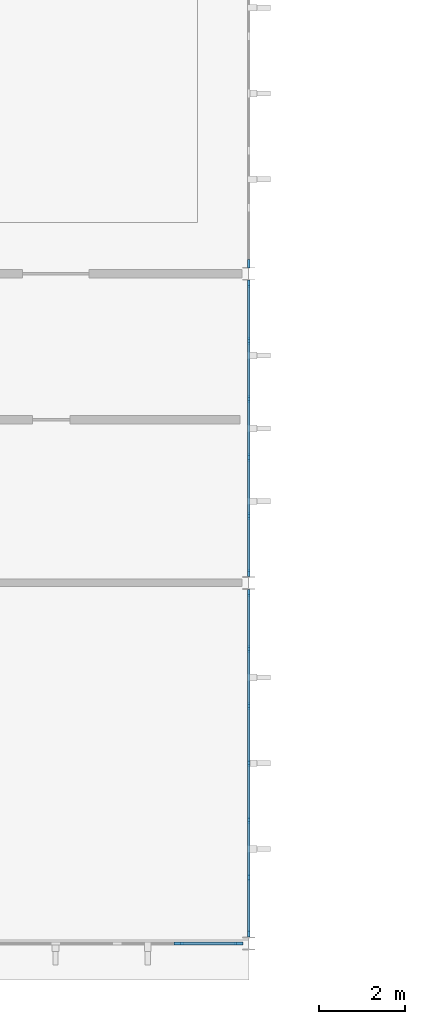
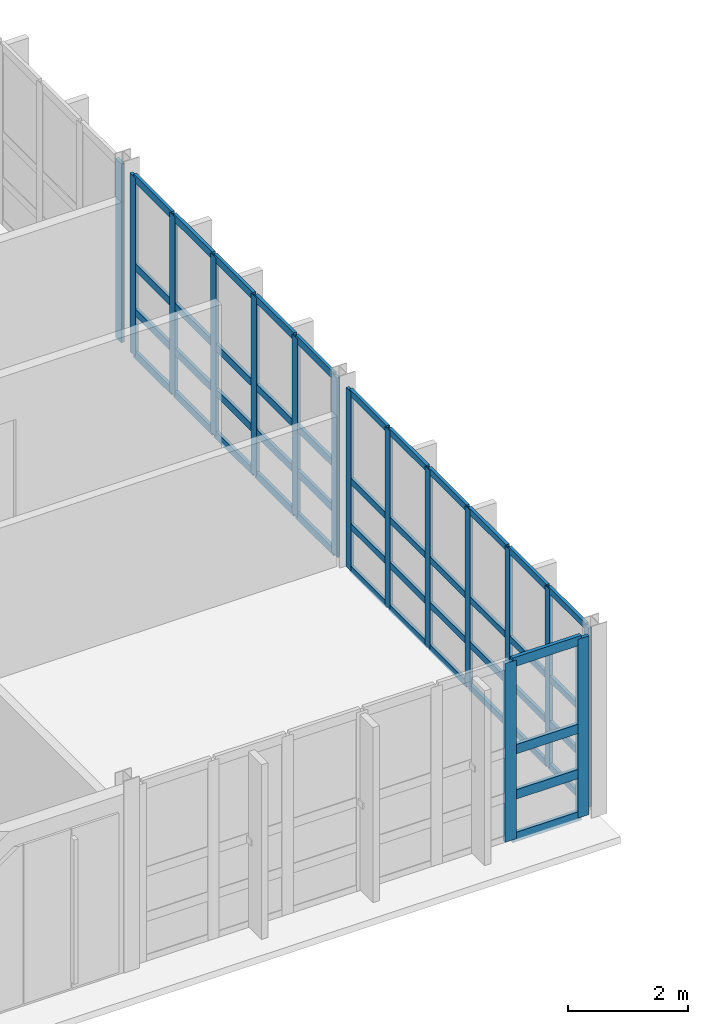
# One storey, part 15 of 67: 64 members, 4 elements without a shape of their own.
"""IFC4 building model written with IfcOpenShell, lengths in metres."""

from ifc_helpers import new_model, si_unit, direction, frame, origin, origin_2d, place, context, subcontext, project, spatial, rectangle, extrude, material, material_profile, profile_set, type_object, element, aggregate, save


model = new_model("IFC4")

# Units and contexts
model_context = context("Model", 3, precision=1e-05, world=origin(), true_north=direction((0.0, 1.0)))
body_context = subcontext(model_context, "Body", "Model", "MODEL_VIEW")
ifc_project = project(units=[si_unit("LENGTHUNIT", "METRE"), si_unit("AREAUNIT", "SQUARE_METRE"), si_unit("VOLUMEUNIT", "CUBIC_METRE"), si_unit("PLANEANGLEUNIT", "RADIAN"), si_unit("MASSUNIT", "GRAM", prefix="KILO")], contexts=[model_context])

# Site, building, storey
site_placement = place(None, origin())
site = spatial("IfcSite", under=ifc_project, at=site_placement, CompositionType="ELEMENT")
building_placement = place(site_placement, origin())
building = spatial("IfcBuilding", under=site, at=building_placement, Name="Tizgana Railside Sports Hall", CompositionType="ELEMENT")
storey_placement = place(building_placement, frame((0.0, 0.0, 12.0)))
storey = spatial("IfcBuildingStorey", under=building, at=storey_placement, Name="L02", CompositionType="ELEMENT", Elevation=12.0)

# Curtain wall, members
ifc_material_1 = material(Name="Anodised aluminium and glass", Category="aluminium")
curtain_wall_type_1 = type_object("IfcCurtainWallType", Name="Unitised Curtain Wall Climbing 1600", PredefinedType="NOTDEFINED", material=ifc_material_1)
curtain_wall_1_placement = place(storey_placement, origin())
curtain_wall_1 = element("IfcCurtainWall", 1, at=curtain_wall_1_placement, inside=storey, type_object=curtain_wall_type_1, Name="L02 Curtain Wall CW-0115", PredefinedType="NOTDEFINED")
ifc_material_2 = material(Name="Anodised aluminium", Category="aluminium")
ifc_material_profile_1 = material_profile(ifc_material_2, rectangle(XDim=0.06005859375, YDim=0.159912109375, at=origin_2d()), Name="Mullion 60x160")
ifc_profile_set_1 = profile_set([ifc_material_profile_1], Name="Anodised aluminium")
member_type_1 = type_object("IfcMemberType", Name="Mullion 60x160", PredefinedType="MULLION", material=ifc_profile_set_1)
member_1_placement = place(storey_placement, frame((97.800048828125, 8.1650390625, 0.0), z_axis=(0.0, 0.0, 1.0), x_axis=(1.0, 0.0, 0.0)))
member_1 = element("IfcMember", 2, at=member_1_placement, type_object=member_type_1, Name="CW-04 mullion 1", PredefinedType="MULLION", context=body_context, shape_type="SweptSolid", body=[
    extrude(rectangle(XDim=0.06005859375, YDim=0.159912109375, at=origin_2d()), origin(), (0.0, 0.0, 1.0), 3.639892578125),
])
member_2_placement = place(storey_placement, frame((97.800048828125, 6.86328125, 0.0), z_axis=(0.0, 0.0, 1.0), x_axis=(1.0, 0.0, 0.0)))
member_2 = element("IfcMember", 3, at=member_2_placement, type_object=member_type_1, Name="CW-04 mullion 2", PredefinedType="MULLION", context=body_context, shape_type="SweptSolid", body=[
    extrude(rectangle(XDim=0.06005859375, YDim=0.159912109375, at=origin_2d()), origin(), (0.0, 0.0, 1.0), 3.639892578125),
])
member_3_placement = place(storey_placement, frame((97.800048828125, 5.53173828125, 0.0), z_axis=(0.0, 0.0, 1.0), x_axis=(1.0, 0.0, 0.0)))
member_3 = element("IfcMember", 4, at=member_3_placement, type_object=member_type_1, Name="CW-04 mullion 3", PredefinedType="MULLION", context=body_context, shape_type="SweptSolid", body=[
    extrude(rectangle(XDim=0.06005859375, YDim=0.159912109375, at=origin_2d()), origin(), (0.0, 0.0, 1.0), 3.639892578125),
])
member_4_placement = place(storey_placement, frame((97.800048828125, 4.199951171875, 0.0), z_axis=(0.0, 0.0, 1.0), x_axis=(1.0, 0.0, 0.0)))
member_4 = element("IfcMember", 5, at=member_4_placement, type_object=member_type_1, Name="CW-04 mullion 4", PredefinedType="MULLION", context=body_context, shape_type="SweptSolid", body=[
    extrude(rectangle(XDim=0.06005859375, YDim=0.159912109375, at=origin_2d()), origin(), (0.0, 0.0, 1.0), 3.639892578125),
])
member_5_placement = place(storey_placement, frame((97.800048828125, 2.868408203125, 0.0), z_axis=(0.0, 0.0, 1.0), x_axis=(1.0, 0.0, 0.0)))
member_5 = element("IfcMember", 6, at=member_5_placement, type_object=member_type_1, Name="CW-04 mullion 5", PredefinedType="MULLION", context=body_context, shape_type="SweptSolid", body=[
    extrude(rectangle(XDim=0.06005859375, YDim=0.159912109375, at=origin_2d()), origin(), (0.0, 0.0, 1.0), 3.639892578125),
])
member_6_placement = place(storey_placement, frame((97.800048828125, 1.53662109375, 0.0), z_axis=(0.0, 0.0, 1.0), x_axis=(1.0, 0.0, 0.0)))
member_6 = element("IfcMember", 7, at=member_6_placement, type_object=member_type_1, Name="CW-04 mullion 6", PredefinedType="MULLION", context=body_context, shape_type="SweptSolid", body=[
    extrude(rectangle(XDim=0.06005859375, YDim=0.159912109375, at=origin_2d()), origin(), (0.0, 0.0, 1.0), 3.639892578125),
])
member_7_placement = place(storey_placement, frame((97.800048828125, 0.235107421875, 0.0), z_axis=(0.0, 0.0, 1.0), x_axis=(1.0, 0.0, 0.0)))
member_7 = element("IfcMember", 8, at=member_7_placement, type_object=member_type_1, Name="CW-04 mullion 7", PredefinedType="MULLION", context=body_context, shape_type="SweptSolid", body=[
    extrude(rectangle(XDim=0.06005859375, YDim=0.159912109375, at=origin_2d()), origin(), (0.0, 0.0, 1.0), 3.639892578125),
])

curtain_wall_type_2 = type_object("IfcCurtainWallType", Name="Unitised Curtain Wall Clinic 1200", PredefinedType="NOTDEFINED", material=ifc_material_1)
curtain_wall_2_placement = place(storey_placement, origin())
curtain_wall_2 = element("IfcCurtainWall", 9, at=curtain_wall_2_placement, inside=storey, type_object=curtain_wall_type_2, Name="L02 Curtain Wall CW-0116", PredefinedType="NOTDEFINED")
ifc_material_profile_2 = material_profile(ifc_material_2, rectangle(XDim=0.06005859375, YDim=0.179931640625, at=origin_2d()), Name="Mullion 60x180")
ifc_profile_set_2 = profile_set([ifc_material_profile_2], Name="Anodised aluminium")
member_type_2 = type_object("IfcMemberType", Name="Mullion 60x180", PredefinedType="MULLION", material=ifc_profile_set_2)
member_8_placement = place(storey_placement, frame((97.800048828125, 15.364990234375, 0.0), z_axis=(0.0, 0.0, 1.0), x_axis=(1.0, 0.0, 0.0)))
member_8 = element("IfcMember", 10, at=member_8_placement, type_object=member_type_2, Name="CW-05 mullion 1", PredefinedType="MULLION", context=body_context, shape_type="SweptSolid", body=[
    extrude(rectangle(XDim=0.06005859375, YDim=0.179931640625, at=origin_2d()), origin(), (0.0, 0.0, 1.0), 3.639892578125),
])
member_9_placement = place(storey_placement, frame((97.800048828125, 14.037109375, 0.0), z_axis=(0.0, 0.0, 1.0), x_axis=(1.0, 0.0, 0.0)))
member_9 = element("IfcMember", 11, at=member_9_placement, type_object=member_type_2, Name="CW-05 mullion 2", PredefinedType="MULLION", context=body_context, shape_type="SweptSolid", body=[
    extrude(rectangle(XDim=0.06005859375, YDim=0.179931640625, at=origin_2d()), origin(), (0.0, 0.0, 1.0), 3.639892578125),
])
member_10_placement = place(storey_placement, frame((97.800048828125, 12.678955078125, 0.0), z_axis=(0.0, 0.0, 1.0), x_axis=(1.0, 0.0, 0.0)))
member_10 = element("IfcMember", 12, at=member_10_placement, type_object=member_type_2, Name="CW-05 mullion 3", PredefinedType="MULLION", context=body_context, shape_type="SweptSolid", body=[
    extrude(rectangle(XDim=0.06005859375, YDim=0.179931640625, at=origin_2d()), origin(), (0.0, 0.0, 1.0), 3.639892578125),
])
member_11_placement = place(storey_placement, frame((97.800048828125, 11.321044921875, 0.0), z_axis=(0.0, 0.0, 1.0), x_axis=(1.0, 0.0, 0.0)))
member_11 = element("IfcMember", 13, at=member_11_placement, type_object=member_type_2, Name="CW-05 mullion 4", PredefinedType="MULLION", context=body_context, shape_type="SweptSolid", body=[
    extrude(rectangle(XDim=0.06005859375, YDim=0.179931640625, at=origin_2d()), origin(), (0.0, 0.0, 1.0), 3.639892578125),
])
member_12_placement = place(storey_placement, frame((97.800048828125, 9.962890625, 0.0), z_axis=(0.0, 0.0, 1.0), x_axis=(1.0, 0.0, 0.0)))
member_12 = element("IfcMember", 14, at=member_12_placement, type_object=member_type_2, Name="CW-05 mullion 5", PredefinedType="MULLION", context=body_context, shape_type="SweptSolid", body=[
    extrude(rectangle(XDim=0.06005859375, YDim=0.179931640625, at=origin_2d()), origin(), (0.0, 0.0, 1.0), 3.639892578125),
])
member_13_placement = place(storey_placement, frame((97.800048828125, 8.635009765625, 0.0), z_axis=(0.0, 0.0, 1.0), x_axis=(1.0, 0.0, 0.0)))
member_13 = element("IfcMember", 15, at=member_13_placement, type_object=member_type_2, Name="CW-05 mullion 6", PredefinedType="MULLION", context=body_context, shape_type="SweptSolid", body=[
    extrude(rectangle(XDim=0.06005859375, YDim=0.179931640625, at=origin_2d()), origin(), (0.0, 0.0, 1.0), 3.639892578125),
])

# Curtain wall, member
curtain_wall_type_3 = type_object("IfcCurtainWallType", Name="Unitised Curtain Wall Passage 1800", PredefinedType="NOTDEFINED", material=ifc_material_1)
curtain_wall_3_placement = place(storey_placement, origin())
curtain_wall_3 = element("IfcCurtainWall", 16, at=curtain_wall_3_placement, inside=storey, type_object=curtain_wall_type_3, Name="L02 Curtain Wall CW-0117", PredefinedType="NOTDEFINED")
ifc_material_profile_3 = material_profile(ifc_material_2, rectangle(XDim=0.06494140625, YDim=0.199951171875, at=origin_2d()), Name="Mullion 65x200")
ifc_profile_set_3 = profile_set([ifc_material_profile_3], Name="Anodised aluminium")
member_type_3 = type_object("IfcMemberType", Name="Mullion 65x200", PredefinedType="MULLION", material=ifc_profile_set_3)
member_14_placement = place(storey_placement, frame((97.800048828125, 15.83740234375, 0.0), z_axis=(0.0, 0.0, 1.0), x_axis=(1.0, 0.0, 0.0)))
member_14 = element("IfcMember", 17, at=member_14_placement, type_object=member_type_3, Name="CW-06 mullion 7", PredefinedType="MULLION", context=body_context, shape_type="SweptSolid", body=[
    extrude(rectangle(XDim=0.06494140625, YDim=0.199951171875, at=origin_2d()), origin(), (0.0, 0.0, 1.0), 3.639892578125),
])
aggregate(curtain_wall_3, [member_14])

# Curtain wall, members
curtain_wall_type_4 = type_object("IfcCurtainWallType", Name="Unitised Curtain Wall Studio 1400", PredefinedType="NOTDEFINED", material=ifc_material_1)
curtain_wall_4_placement = place(storey_placement, origin())
curtain_wall_4 = element("IfcCurtainWall", 18, at=curtain_wall_4_placement, inside=storey, type_object=curtain_wall_type_4, Name="L02 Curtain Wall CW-0106", PredefinedType="NOTDEFINED")
ifc_material_profile_4 = material_profile(ifc_material_2, rectangle(XDim=0.070068359375, YDim=0.219970703125, at=origin_2d()), Name="Mullion 70x220")
ifc_profile_set_4 = profile_set([ifc_material_profile_4], Name="Anodised aluminium")
member_type_4 = type_object("IfcMemberType", Name="Mullion 70x220", PredefinedType="MULLION", material=ifc_profile_set_4)
member_15_placement = place(storey_placement, frame((97.56005859375, 0.0, 0.0), z_axis=(0.0, 0.0, 1.0), x_axis=(0.0, -1.0, 0.0)))
member_15 = element("IfcMember", 19, at=member_15_placement, type_object=member_type_4, Name="CW-03 mullion 1", PredefinedType="MULLION", context=body_context, shape_type="SweptSolid", body=[
    extrude(rectangle(XDim=0.070068359375, YDim=0.219970703125, at=origin_2d()), origin(), (0.0, 0.0, 1.0), 3.639892578125),
])
member_16_placement = place(storey_placement, frame((96.163330078125, 0.0, 0.0), z_axis=(0.0, 0.0, 1.0), x_axis=(0.0, -1.0, 0.0)))
member_16 = element("IfcMember", 20, at=member_16_placement, type_object=member_type_4, Name="CW-03 mullion 2", PredefinedType="MULLION", context=body_context, shape_type="SweptSolid", body=[
    extrude(rectangle(XDim=0.070068359375, YDim=0.219970703125, at=origin_2d()), origin(), (0.0, 0.0, 1.0), 3.639892578125),
])

# Member
ifc_material_profile_5 = material_profile(ifc_material_2, rectangle(XDim=0.06005859375, YDim=0.1298828125, at=origin_2d()), Name="Transom 60x130")
ifc_profile_set_5 = profile_set([ifc_material_profile_5], Name="Anodised aluminium")
member_type_5 = type_object("IfcMemberType", Name="Transom 60x130", PredefinedType="USERDEFINED", material=ifc_profile_set_5)
member_17_placement = place(storey_placement, frame((97.800048828125, 8.135009765625, 0.030029296875), z_axis=(0.0, -1.0, 0.0), x_axis=(1.0, 0.0, 0.0)))
member_17 = element("IfcMember", 21, at=member_17_placement, type_object=member_type_5, Name="CW-04 transom 1.1", ObjectType="TRANSOM", PredefinedType="USERDEFINED", context=body_context, shape_type="SweptSolid", body=[
    extrude(rectangle(XDim=0.06005859375, YDim=0.1298828125, at=origin_2d()), origin(), (0.0, 0.0, 1.0), 1.24169921875),
])

member_18_placement = place(storey_placement, frame((97.800048828125, 8.135009765625, 0.89990234375), z_axis=(0.0, -1.0, 0.0), x_axis=(1.0, 0.0, 0.0)))
member_18 = element("IfcMember", 22, at=member_18_placement, type_object=member_type_5, Name="CW-04 transom 1.2", ObjectType="TRANSOM", PredefinedType="USERDEFINED", context=body_context, shape_type="SweptSolid", body=[
    extrude(rectangle(XDim=0.06005859375, YDim=0.1298828125, at=origin_2d()), origin(), (0.0, 0.0, 1.0), 1.24169921875),
])

member_19_placement = place(storey_placement, frame((97.800048828125, 8.135009765625, 1.820068359375), z_axis=(0.0, -1.0, 0.0), x_axis=(1.0, 0.0, 0.0)))
member_19 = element("IfcMember", 23, at=member_19_placement, type_object=member_type_5, Name="CW-04 transom 1.3", ObjectType="TRANSOM", PredefinedType="USERDEFINED", context=body_context, shape_type="SweptSolid", body=[
    extrude(rectangle(XDim=0.06005859375, YDim=0.1298828125, at=origin_2d()), origin(), (0.0, 0.0, 1.0), 1.24169921875),
])

member_20_placement = place(storey_placement, frame((97.800048828125, 8.135009765625, 3.610107421875), z_axis=(0.0, -1.0, 0.0), x_axis=(1.0, 0.0, 0.0)))
member_20 = element("IfcMember", 24, at=member_20_placement, type_object=member_type_5, Name="CW-04 transom 1.4", ObjectType="TRANSOM", PredefinedType="USERDEFINED", context=body_context, shape_type="SweptSolid", body=[
    extrude(rectangle(XDim=0.06005859375, YDim=0.1298828125, at=origin_2d()), origin(), (0.0, 0.0, 1.0), 1.24169921875),
])

member_21_placement = place(storey_placement, frame((97.800048828125, 6.833251953125, 0.030029296875), z_axis=(0.0, -1.0, 0.0), x_axis=(1.0, 0.0, 0.0)))
member_21 = element("IfcMember", 25, at=member_21_placement, type_object=member_type_5, Name="CW-04 transom 2.1", ObjectType="TRANSOM", PredefinedType="USERDEFINED", context=body_context, shape_type="SweptSolid", body=[
    extrude(rectangle(XDim=0.06005859375, YDim=0.1298828125, at=origin_2d()), origin(), (0.0, 0.0, 1.0), 1.271484375),
])

member_22_placement = place(storey_placement, frame((97.800048828125, 6.833251953125, 0.89990234375), z_axis=(0.0, -1.0, 0.0), x_axis=(1.0, 0.0, 0.0)))
member_22 = element("IfcMember", 26, at=member_22_placement, type_object=member_type_5, Name="CW-04 transom 2.2", ObjectType="TRANSOM", PredefinedType="USERDEFINED", context=body_context, shape_type="SweptSolid", body=[
    extrude(rectangle(XDim=0.06005859375, YDim=0.1298828125, at=origin_2d()), origin(), (0.0, 0.0, 1.0), 1.271484375),
])

member_23_placement = place(storey_placement, frame((97.800048828125, 6.833251953125, 1.820068359375), z_axis=(0.0, -1.0, 0.0), x_axis=(1.0, 0.0, 0.0)))
member_23 = element("IfcMember", 27, at=member_23_placement, type_object=member_type_5, Name="CW-04 transom 2.3", ObjectType="TRANSOM", PredefinedType="USERDEFINED", context=body_context, shape_type="SweptSolid", body=[
    extrude(rectangle(XDim=0.06005859375, YDim=0.1298828125, at=origin_2d()), origin(), (0.0, 0.0, 1.0), 1.271484375),
])

member_24_placement = place(storey_placement, frame((97.800048828125, 6.833251953125, 3.610107421875), z_axis=(0.0, -1.0, 0.0), x_axis=(1.0, 0.0, 0.0)))
member_24 = element("IfcMember", 28, at=member_24_placement, type_object=member_type_5, Name="CW-04 transom 2.4", ObjectType="TRANSOM", PredefinedType="USERDEFINED", context=body_context, shape_type="SweptSolid", body=[
    extrude(rectangle(XDim=0.06005859375, YDim=0.1298828125, at=origin_2d()), origin(), (0.0, 0.0, 1.0), 1.271484375),
])

member_25_placement = place(storey_placement, frame((97.800048828125, 5.501708984375, 0.030029296875), z_axis=(0.0, -1.0, 0.0), x_axis=(1.0, 0.0, 0.0)))
member_25 = element("IfcMember", 29, at=member_25_placement, type_object=member_type_5, Name="CW-04 transom 3.1", ObjectType="TRANSOM", PredefinedType="USERDEFINED", context=body_context, shape_type="SweptSolid", body=[
    extrude(rectangle(XDim=0.06005859375, YDim=0.1298828125, at=origin_2d()), origin(), (0.0, 0.0, 1.0), 1.271728515625),
])

member_26_placement = place(storey_placement, frame((97.800048828125, 5.501708984375, 0.89990234375), z_axis=(0.0, -1.0, 0.0), x_axis=(1.0, 0.0, 0.0)))
member_26 = element("IfcMember", 30, at=member_26_placement, type_object=member_type_5, Name="CW-04 transom 3.2", ObjectType="TRANSOM", PredefinedType="USERDEFINED", context=body_context, shape_type="SweptSolid", body=[
    extrude(rectangle(XDim=0.06005859375, YDim=0.1298828125, at=origin_2d()), origin(), (0.0, 0.0, 1.0), 1.271728515625),
])

member_27_placement = place(storey_placement, frame((97.800048828125, 5.501708984375, 1.820068359375), z_axis=(0.0, -1.0, 0.0), x_axis=(1.0, 0.0, 0.0)))
member_27 = element("IfcMember", 31, at=member_27_placement, type_object=member_type_5, Name="CW-04 transom 3.3", ObjectType="TRANSOM", PredefinedType="USERDEFINED", context=body_context, shape_type="SweptSolid", body=[
    extrude(rectangle(XDim=0.06005859375, YDim=0.1298828125, at=origin_2d()), origin(), (0.0, 0.0, 1.0), 1.271728515625),
])

member_28_placement = place(storey_placement, frame((97.800048828125, 5.501708984375, 3.610107421875), z_axis=(0.0, -1.0, 0.0), x_axis=(1.0, 0.0, 0.0)))
member_28 = element("IfcMember", 32, at=member_28_placement, type_object=member_type_5, Name="CW-04 transom 3.4", ObjectType="TRANSOM", PredefinedType="USERDEFINED", context=body_context, shape_type="SweptSolid", body=[
    extrude(rectangle(XDim=0.06005859375, YDim=0.1298828125, at=origin_2d()), origin(), (0.0, 0.0, 1.0), 1.271728515625),
])

member_29_placement = place(storey_placement, frame((97.800048828125, 4.169921875, 0.030029296875), z_axis=(0.0, -1.0, 0.0), x_axis=(1.0, 0.0, 0.0)))
member_29 = element("IfcMember", 33, at=member_29_placement, type_object=member_type_5, Name="CW-04 transom 4.1", ObjectType="TRANSOM", PredefinedType="USERDEFINED", context=body_context, shape_type="SweptSolid", body=[
    extrude(rectangle(XDim=0.06005859375, YDim=0.1298828125, at=origin_2d()), origin(), (0.0, 0.0, 1.0), 1.271484375),
])

member_30_placement = place(storey_placement, frame((97.800048828125, 4.169921875, 0.89990234375), z_axis=(0.0, -1.0, 0.0), x_axis=(1.0, 0.0, 0.0)))
member_30 = element("IfcMember", 34, at=member_30_placement, type_object=member_type_5, Name="CW-04 transom 4.2", ObjectType="TRANSOM", PredefinedType="USERDEFINED", context=body_context, shape_type="SweptSolid", body=[
    extrude(rectangle(XDim=0.06005859375, YDim=0.1298828125, at=origin_2d()), origin(), (0.0, 0.0, 1.0), 1.271484375),
])

member_31_placement = place(storey_placement, frame((97.800048828125, 4.169921875, 1.820068359375), z_axis=(0.0, -1.0, 0.0), x_axis=(1.0, 0.0, 0.0)))
member_31 = element("IfcMember", 35, at=member_31_placement, type_object=member_type_5, Name="CW-04 transom 4.3", ObjectType="TRANSOM", PredefinedType="USERDEFINED", context=body_context, shape_type="SweptSolid", body=[
    extrude(rectangle(XDim=0.06005859375, YDim=0.1298828125, at=origin_2d()), origin(), (0.0, 0.0, 1.0), 1.271484375),
])

member_32_placement = place(storey_placement, frame((97.800048828125, 4.169921875, 3.610107421875), z_axis=(0.0, -1.0, 0.0), x_axis=(1.0, 0.0, 0.0)))
member_32 = element("IfcMember", 36, at=member_32_placement, type_object=member_type_5, Name="CW-04 transom 4.4", ObjectType="TRANSOM", PredefinedType="USERDEFINED", context=body_context, shape_type="SweptSolid", body=[
    extrude(rectangle(XDim=0.06005859375, YDim=0.1298828125, at=origin_2d()), origin(), (0.0, 0.0, 1.0), 1.271484375),
])

member_33_placement = place(storey_placement, frame((97.800048828125, 2.83837890625, 0.030029296875), z_axis=(0.0, -1.0, 0.0), x_axis=(1.0, 0.0, 0.0)))
member_33 = element("IfcMember", 37, at=member_33_placement, type_object=member_type_5, Name="CW-04 transom 5.1", ObjectType="TRANSOM", PredefinedType="USERDEFINED", context=body_context, shape_type="SweptSolid", body=[
    extrude(rectangle(XDim=0.06005859375, YDim=0.1298828125, at=origin_2d()), origin(), (0.0, 0.0, 1.0), 1.271728515625),
])

member_34_placement = place(storey_placement, frame((97.800048828125, 2.83837890625, 0.89990234375), z_axis=(0.0, -1.0, 0.0), x_axis=(1.0, 0.0, 0.0)))
member_34 = element("IfcMember", 38, at=member_34_placement, type_object=member_type_5, Name="CW-04 transom 5.2", ObjectType="TRANSOM", PredefinedType="USERDEFINED", context=body_context, shape_type="SweptSolid", body=[
    extrude(rectangle(XDim=0.06005859375, YDim=0.1298828125, at=origin_2d()), origin(), (0.0, 0.0, 1.0), 1.271728515625),
])

member_35_placement = place(storey_placement, frame((97.800048828125, 2.83837890625, 1.820068359375), z_axis=(0.0, -1.0, 0.0), x_axis=(1.0, 0.0, 0.0)))
member_35 = element("IfcMember", 39, at=member_35_placement, type_object=member_type_5, Name="CW-04 transom 5.3", ObjectType="TRANSOM", PredefinedType="USERDEFINED", context=body_context, shape_type="SweptSolid", body=[
    extrude(rectangle(XDim=0.06005859375, YDim=0.1298828125, at=origin_2d()), origin(), (0.0, 0.0, 1.0), 1.271728515625),
])

member_36_placement = place(storey_placement, frame((97.800048828125, 2.83837890625, 3.610107421875), z_axis=(0.0, -1.0, 0.0), x_axis=(1.0, 0.0, 0.0)))
member_36 = element("IfcMember", 40, at=member_36_placement, type_object=member_type_5, Name="CW-04 transom 5.4", ObjectType="TRANSOM", PredefinedType="USERDEFINED", context=body_context, shape_type="SweptSolid", body=[
    extrude(rectangle(XDim=0.06005859375, YDim=0.1298828125, at=origin_2d()), origin(), (0.0, 0.0, 1.0), 1.271728515625),
])

member_37_placement = place(storey_placement, frame((97.800048828125, 1.506591796875, 0.030029296875), z_axis=(0.0, -1.0, 0.0), x_axis=(1.0, 0.0, 0.0)))
member_37 = element("IfcMember", 41, at=member_37_placement, type_object=member_type_5, Name="CW-04 transom 6.1", ObjectType="TRANSOM", PredefinedType="USERDEFINED", context=body_context, shape_type="SweptSolid", body=[
    extrude(rectangle(XDim=0.06005859375, YDim=0.1298828125, at=origin_2d()), origin(), (0.0, 0.0, 1.0), 1.24169921875),
])

member_38_placement = place(storey_placement, frame((97.800048828125, 1.506591796875, 0.89990234375), z_axis=(0.0, -1.0, 0.0), x_axis=(1.0, 0.0, 0.0)))
member_38 = element("IfcMember", 42, at=member_38_placement, type_object=member_type_5, Name="CW-04 transom 6.2", ObjectType="TRANSOM", PredefinedType="USERDEFINED", context=body_context, shape_type="SweptSolid", body=[
    extrude(rectangle(XDim=0.06005859375, YDim=0.1298828125, at=origin_2d()), origin(), (0.0, 0.0, 1.0), 1.24169921875),
])

member_39_placement = place(storey_placement, frame((97.800048828125, 1.506591796875, 1.820068359375), z_axis=(0.0, -1.0, 0.0), x_axis=(1.0, 0.0, 0.0)))
member_39 = element("IfcMember", 43, at=member_39_placement, type_object=member_type_5, Name="CW-04 transom 6.3", ObjectType="TRANSOM", PredefinedType="USERDEFINED", context=body_context, shape_type="SweptSolid", body=[
    extrude(rectangle(XDim=0.06005859375, YDim=0.1298828125, at=origin_2d()), origin(), (0.0, 0.0, 1.0), 1.24169921875),
])

member_40_placement = place(storey_placement, frame((97.800048828125, 1.506591796875, 3.610107421875), z_axis=(0.0, -1.0, 0.0), x_axis=(1.0, 0.0, 0.0)))
member_40 = element("IfcMember", 44, at=member_40_placement, type_object=member_type_5, Name="CW-04 transom 6.4", ObjectType="TRANSOM", PredefinedType="USERDEFINED", context=body_context, shape_type="SweptSolid", body=[
    extrude(rectangle(XDim=0.06005859375, YDim=0.1298828125, at=origin_2d()), origin(), (0.0, 0.0, 1.0), 1.24169921875),
])

aggregate(curtain_wall_1, [member_1, member_2, member_3, member_4, member_5, member_6, member_7, member_17, member_18, member_19, member_20, member_21, member_22, member_23, member_24, member_25, member_26, member_27, member_28, member_29, member_30, member_31, member_32, member_33, member_34, member_35, member_36, member_37, member_38, member_39, member_40])

ifc_material_profile_6 = material_profile(ifc_material_2, rectangle(XDim=0.06005859375, YDim=0.14990234375, at=origin_2d()), Name="Transom 60x150")
ifc_profile_set_6 = profile_set([ifc_material_profile_6], Name="Anodised aluminium")
member_type_6 = type_object("IfcMemberType", Name="Transom 60x150", PredefinedType="USERDEFINED", material=ifc_profile_set_6)
member_41_placement = place(storey_placement, frame((97.800048828125, 15.3349609375, 0.030029296875), z_axis=(0.0, -1.0, 0.0), x_axis=(1.0, 0.0, 0.0)))
member_41 = element("IfcMember", 45, at=member_41_placement, type_object=member_type_6, Name="CW-05 transom 1.1", ObjectType="TRANSOM", PredefinedType="USERDEFINED", context=body_context, shape_type="SweptSolid", body=[
    extrude(rectangle(XDim=0.06005859375, YDim=0.14990234375, at=origin_2d()), origin(), (0.0, 0.0, 1.0), 1.26806640625),
])

member_42_placement = place(storey_placement, frame((97.800048828125, 15.3349609375, 0.89990234375), z_axis=(0.0, -1.0, 0.0), x_axis=(1.0, 0.0, 0.0)))
member_42 = element("IfcMember", 46, at=member_42_placement, type_object=member_type_6, Name="CW-05 transom 1.2", ObjectType="TRANSOM", PredefinedType="USERDEFINED", context=body_context, shape_type="SweptSolid", body=[
    extrude(rectangle(XDim=0.06005859375, YDim=0.14990234375, at=origin_2d()), origin(), (0.0, 0.0, 1.0), 1.26806640625),
])

member_43_placement = place(storey_placement, frame((97.800048828125, 15.3349609375, 1.820068359375), z_axis=(0.0, -1.0, 0.0), x_axis=(1.0, 0.0, 0.0)))
member_43 = element("IfcMember", 47, at=member_43_placement, type_object=member_type_6, Name="CW-05 transom 1.3", ObjectType="TRANSOM", PredefinedType="USERDEFINED", context=body_context, shape_type="SweptSolid", body=[
    extrude(rectangle(XDim=0.06005859375, YDim=0.14990234375, at=origin_2d()), origin(), (0.0, 0.0, 1.0), 1.26806640625),
])

member_44_placement = place(storey_placement, frame((97.800048828125, 15.3349609375, 3.610107421875), z_axis=(0.0, -1.0, 0.0), x_axis=(1.0, 0.0, 0.0)))
member_44 = element("IfcMember", 48, at=member_44_placement, type_object=member_type_6, Name="CW-05 transom 1.4", ObjectType="TRANSOM", PredefinedType="USERDEFINED", context=body_context, shape_type="SweptSolid", body=[
    extrude(rectangle(XDim=0.06005859375, YDim=0.14990234375, at=origin_2d()), origin(), (0.0, 0.0, 1.0), 1.26806640625),
])

member_45_placement = place(storey_placement, frame((97.800048828125, 14.007080078125, 0.030029296875), z_axis=(0.0, -1.0, 0.0), x_axis=(1.0, 0.0, 0.0)))
member_45 = element("IfcMember", 49, at=member_45_placement, type_object=member_type_6, Name="CW-05 transom 2.1", ObjectType="TRANSOM", PredefinedType="USERDEFINED", context=body_context, shape_type="SweptSolid", body=[
    extrude(rectangle(XDim=0.06005859375, YDim=0.14990234375, at=origin_2d()), origin(), (0.0, 0.0, 1.0), 1.298095703125),
])

member_46_placement = place(storey_placement, frame((97.800048828125, 14.007080078125, 0.89990234375), z_axis=(0.0, -1.0, 0.0), x_axis=(1.0, 0.0, 0.0)))
member_46 = element("IfcMember", 50, at=member_46_placement, type_object=member_type_6, Name="CW-05 transom 2.2", ObjectType="TRANSOM", PredefinedType="USERDEFINED", context=body_context, shape_type="SweptSolid", body=[
    extrude(rectangle(XDim=0.06005859375, YDim=0.14990234375, at=origin_2d()), origin(), (0.0, 0.0, 1.0), 1.298095703125),
])

member_47_placement = place(storey_placement, frame((97.800048828125, 14.007080078125, 1.820068359375), z_axis=(0.0, -1.0, 0.0), x_axis=(1.0, 0.0, 0.0)))
member_47 = element("IfcMember", 51, at=member_47_placement, type_object=member_type_6, Name="CW-05 transom 2.3", ObjectType="TRANSOM", PredefinedType="USERDEFINED", context=body_context, shape_type="SweptSolid", body=[
    extrude(rectangle(XDim=0.06005859375, YDim=0.14990234375, at=origin_2d()), origin(), (0.0, 0.0, 1.0), 1.298095703125),
])

member_48_placement = place(storey_placement, frame((97.800048828125, 14.007080078125, 3.610107421875), z_axis=(0.0, -1.0, 0.0), x_axis=(1.0, 0.0, 0.0)))
member_48 = element("IfcMember", 52, at=member_48_placement, type_object=member_type_6, Name="CW-05 transom 2.4", ObjectType="TRANSOM", PredefinedType="USERDEFINED", context=body_context, shape_type="SweptSolid", body=[
    extrude(rectangle(XDim=0.06005859375, YDim=0.14990234375, at=origin_2d()), origin(), (0.0, 0.0, 1.0), 1.298095703125),
])

member_49_placement = place(storey_placement, frame((97.800048828125, 12.64892578125, 0.030029296875), z_axis=(0.0, -1.0, 0.0), x_axis=(1.0, 0.0, 0.0)))
member_49 = element("IfcMember", 53, at=member_49_placement, type_object=member_type_6, Name="CW-05 transom 3.1", ObjectType="TRANSOM", PredefinedType="USERDEFINED", context=body_context, shape_type="SweptSolid", body=[
    extrude(rectangle(XDim=0.06005859375, YDim=0.14990234375, at=origin_2d()), origin(), (0.0, 0.0, 1.0), 1.2978515625),
])

member_50_placement = place(storey_placement, frame((97.800048828125, 12.64892578125, 0.89990234375), z_axis=(0.0, -1.0, 0.0), x_axis=(1.0, 0.0, 0.0)))
member_50 = element("IfcMember", 54, at=member_50_placement, type_object=member_type_6, Name="CW-05 transom 3.2", ObjectType="TRANSOM", PredefinedType="USERDEFINED", context=body_context, shape_type="SweptSolid", body=[
    extrude(rectangle(XDim=0.06005859375, YDim=0.14990234375, at=origin_2d()), origin(), (0.0, 0.0, 1.0), 1.2978515625),
])

member_51_placement = place(storey_placement, frame((97.800048828125, 12.64892578125, 1.820068359375), z_axis=(0.0, -1.0, 0.0), x_axis=(1.0, 0.0, 0.0)))
member_51 = element("IfcMember", 55, at=member_51_placement, type_object=member_type_6, Name="CW-05 transom 3.3", ObjectType="TRANSOM", PredefinedType="USERDEFINED", context=body_context, shape_type="SweptSolid", body=[
    extrude(rectangle(XDim=0.06005859375, YDim=0.14990234375, at=origin_2d()), origin(), (0.0, 0.0, 1.0), 1.2978515625),
])

member_52_placement = place(storey_placement, frame((97.800048828125, 12.64892578125, 3.610107421875), z_axis=(0.0, -1.0, 0.0), x_axis=(1.0, 0.0, 0.0)))
member_52 = element("IfcMember", 56, at=member_52_placement, type_object=member_type_6, Name="CW-05 transom 3.4", ObjectType="TRANSOM", PredefinedType="USERDEFINED", context=body_context, shape_type="SweptSolid", body=[
    extrude(rectangle(XDim=0.06005859375, YDim=0.14990234375, at=origin_2d()), origin(), (0.0, 0.0, 1.0), 1.2978515625),
])

member_53_placement = place(storey_placement, frame((97.800048828125, 11.291015625, 0.030029296875), z_axis=(0.0, -1.0, 0.0), x_axis=(1.0, 0.0, 0.0)))
member_53 = element("IfcMember", 57, at=member_53_placement, type_object=member_type_6, Name="CW-05 transom 4.1", ObjectType="TRANSOM", PredefinedType="USERDEFINED", context=body_context, shape_type="SweptSolid", body=[
    extrude(rectangle(XDim=0.06005859375, YDim=0.14990234375, at=origin_2d()), origin(), (0.0, 0.0, 1.0), 1.298095703125),
])

member_54_placement = place(storey_placement, frame((97.800048828125, 11.291015625, 0.89990234375), z_axis=(0.0, -1.0, 0.0), x_axis=(1.0, 0.0, 0.0)))
member_54 = element("IfcMember", 58, at=member_54_placement, type_object=member_type_6, Name="CW-05 transom 4.2", ObjectType="TRANSOM", PredefinedType="USERDEFINED", context=body_context, shape_type="SweptSolid", body=[
    extrude(rectangle(XDim=0.06005859375, YDim=0.14990234375, at=origin_2d()), origin(), (0.0, 0.0, 1.0), 1.298095703125),
])

member_55_placement = place(storey_placement, frame((97.800048828125, 11.291015625, 1.820068359375), z_axis=(0.0, -1.0, 0.0), x_axis=(1.0, 0.0, 0.0)))
member_55 = element("IfcMember", 59, at=member_55_placement, type_object=member_type_6, Name="CW-05 transom 4.3", ObjectType="TRANSOM", PredefinedType="USERDEFINED", context=body_context, shape_type="SweptSolid", body=[
    extrude(rectangle(XDim=0.06005859375, YDim=0.14990234375, at=origin_2d()), origin(), (0.0, 0.0, 1.0), 1.298095703125),
])

member_56_placement = place(storey_placement, frame((97.800048828125, 11.291015625, 3.610107421875), z_axis=(0.0, -1.0, 0.0), x_axis=(1.0, 0.0, 0.0)))
member_56 = element("IfcMember", 60, at=member_56_placement, type_object=member_type_6, Name="CW-05 transom 4.4", ObjectType="TRANSOM", PredefinedType="USERDEFINED", context=body_context, shape_type="SweptSolid", body=[
    extrude(rectangle(XDim=0.06005859375, YDim=0.14990234375, at=origin_2d()), origin(), (0.0, 0.0, 1.0), 1.298095703125),
])

member_57_placement = place(storey_placement, frame((97.800048828125, 9.93310546875, 0.030029296875), z_axis=(0.0, -1.0, 0.0), x_axis=(1.0, 0.0, 0.0)))
member_57 = element("IfcMember", 61, at=member_57_placement, type_object=member_type_6, Name="CW-05 transom 5.1", ObjectType="TRANSOM", PredefinedType="USERDEFINED", context=body_context, shape_type="SweptSolid", body=[
    extrude(rectangle(XDim=0.06005859375, YDim=0.14990234375, at=origin_2d()), origin(), (0.0, 0.0, 1.0), 1.26806640625),
])

member_58_placement = place(storey_placement, frame((97.800048828125, 9.93310546875, 0.89990234375), z_axis=(0.0, -1.0, 0.0), x_axis=(1.0, 0.0, 0.0)))
member_58 = element("IfcMember", 62, at=member_58_placement, type_object=member_type_6, Name="CW-05 transom 5.2", ObjectType="TRANSOM", PredefinedType="USERDEFINED", context=body_context, shape_type="SweptSolid", body=[
    extrude(rectangle(XDim=0.06005859375, YDim=0.14990234375, at=origin_2d()), origin(), (0.0, 0.0, 1.0), 1.26806640625),
])

member_59_placement = place(storey_placement, frame((97.800048828125, 9.93310546875, 1.820068359375), z_axis=(0.0, -1.0, 0.0), x_axis=(1.0, 0.0, 0.0)))
member_59 = element("IfcMember", 63, at=member_59_placement, type_object=member_type_6, Name="CW-05 transom 5.3", ObjectType="TRANSOM", PredefinedType="USERDEFINED", context=body_context, shape_type="SweptSolid", body=[
    extrude(rectangle(XDim=0.06005859375, YDim=0.14990234375, at=origin_2d()), origin(), (0.0, 0.0, 1.0), 1.26806640625),
])

member_60_placement = place(storey_placement, frame((97.800048828125, 9.93310546875, 3.610107421875), z_axis=(0.0, -1.0, 0.0), x_axis=(1.0, 0.0, 0.0)))
member_60 = element("IfcMember", 64, at=member_60_placement, type_object=member_type_6, Name="CW-05 transom 5.4", ObjectType="TRANSOM", PredefinedType="USERDEFINED", context=body_context, shape_type="SweptSolid", body=[
    extrude(rectangle(XDim=0.06005859375, YDim=0.14990234375, at=origin_2d()), origin(), (0.0, 0.0, 1.0), 1.26806640625),
])

aggregate(curtain_wall_2, [member_8, member_9, member_10, member_11, member_12, member_13, member_41, member_42, member_43, member_44, member_45, member_46, member_47, member_48, member_49, member_50, member_51, member_52, member_53, member_54, member_55, member_56, member_57, member_58, member_59, member_60])

ifc_material_profile_7 = material_profile(ifc_material_2, rectangle(XDim=0.070068359375, YDim=0.18994140625, at=origin_2d()), Name="Transom 70x190")
ifc_profile_set_7 = profile_set([ifc_material_profile_7], Name="Anodised aluminium")
member_type_7 = type_object("IfcMemberType", Name="Transom 70x190", PredefinedType="USERDEFINED", material=ifc_profile_set_7)
member_61_placement = place(storey_placement, frame((97.52490234375, 0.0, 0.034912109375), z_axis=(-1.0, 0.0, 0.0), x_axis=(0.0, -1.0, 0.0)))
member_61 = element("IfcMember", 65, at=member_61_placement, type_object=member_type_7, Name="CW-03 transom 1.1", ObjectType="TRANSOM", PredefinedType="USERDEFINED", context=body_context, shape_type="SweptSolid", body=[
    extrude(rectangle(XDim=0.070068359375, YDim=0.18994140625, at=origin_2d()), origin(), (0.0, 0.0, 1.0), 1.32666015625),
])

member_62_placement = place(storey_placement, frame((97.52490234375, 0.0, 0.89990234375), z_axis=(-1.0, 0.0, 0.0), x_axis=(0.0, -1.0, 0.0)))
member_62 = element("IfcMember", 66, at=member_62_placement, type_object=member_type_7, Name="CW-03 transom 1.2", ObjectType="TRANSOM", PredefinedType="USERDEFINED", context=body_context, shape_type="SweptSolid", body=[
    extrude(rectangle(XDim=0.070068359375, YDim=0.18994140625, at=origin_2d()), origin(), (0.0, 0.0, 1.0), 1.32666015625),
])

member_63_placement = place(storey_placement, frame((97.52490234375, 0.0, 1.820068359375), z_axis=(-1.0, 0.0, 0.0), x_axis=(0.0, -1.0, 0.0)))
member_63 = element("IfcMember", 67, at=member_63_placement, type_object=member_type_7, Name="CW-03 transom 1.3", ObjectType="TRANSOM", PredefinedType="USERDEFINED", context=body_context, shape_type="SweptSolid", body=[
    extrude(rectangle(XDim=0.070068359375, YDim=0.18994140625, at=origin_2d()), origin(), (0.0, 0.0, 1.0), 1.32666015625),
])

member_64_placement = place(storey_placement, frame((97.52490234375, 0.0, 3.60498046875), z_axis=(-1.0, 0.0, 0.0), x_axis=(0.0, -1.0, 0.0)))
member_64 = element("IfcMember", 68, at=member_64_placement, type_object=member_type_7, Name="CW-03 transom 1.4", ObjectType="TRANSOM", PredefinedType="USERDEFINED", context=body_context, shape_type="SweptSolid", body=[
    extrude(rectangle(XDim=0.070068359375, YDim=0.18994140625, at=origin_2d()), origin(), (0.0, 0.0, 1.0), 1.32666015625),
])

aggregate(curtain_wall_4, [member_15, member_16, member_61, member_62, member_63, member_64])

save(model, "model.ifc")
